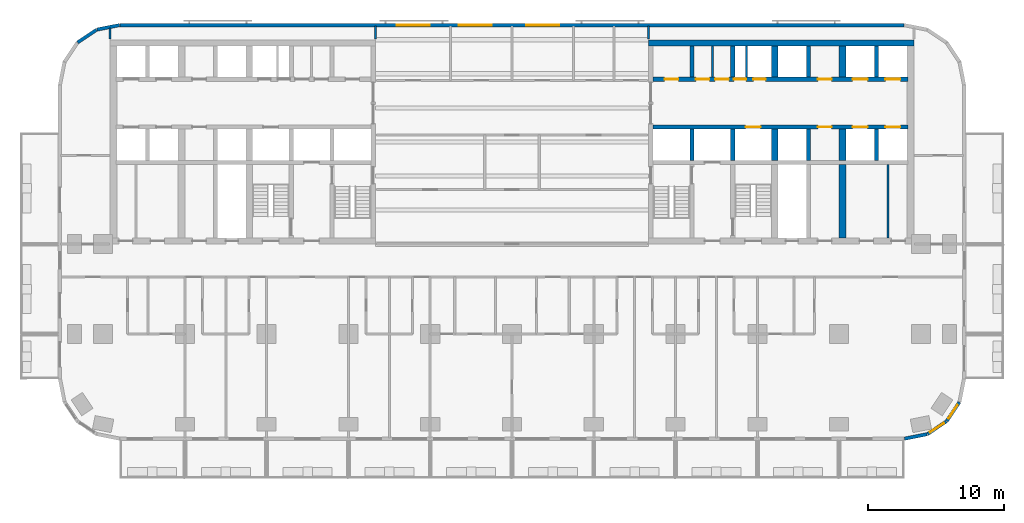
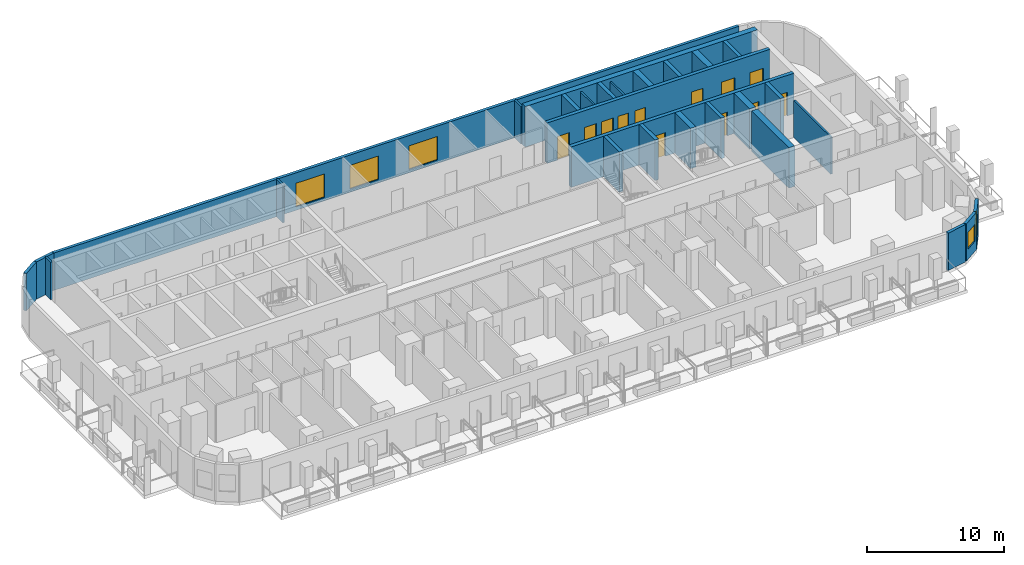
# One storey, part 7 of 13: 28 walls, 12 doors, 5 windows, 17 openings.
"""IFC4 building model written with IfcOpenShell, lengths in metres."""

from ifc_helpers import new_model, si_unit, direction, frame, frame_2d, origin, place, context, subcontext, project, spatial, rectangle, extrude, material, layer, layer_set, type_object, element, fill, save


model = new_model("IFC4")

# Units and contexts
model_context = context("Model", 3, precision=1e-05, world=origin(), true_north=direction((0.0, 1.0)))
body_context = subcontext(model_context, "Body", "Model", "MODEL_VIEW")
ifc_project = project(units=[si_unit("LENGTHUNIT", "METRE"), si_unit("AREAUNIT", "SQUARE_METRE"), si_unit("VOLUMEUNIT", "CUBIC_METRE"), si_unit("PLANEANGLEUNIT", "RADIAN"), si_unit("MASSUNIT", "GRAM", prefix="KILO")], contexts=[model_context])

# Site, building, storey
site_placement = place(None, origin())
site = spatial("IfcSite", under=ifc_project, at=site_placement, CompositionType="ELEMENT")
building_placement = place(site_placement, origin())
building = spatial("IfcBuilding", under=site, at=building_placement, Name="Torana Hotel and Residences", CompositionType="ELEMENT")
storey_placement = place(building_placement, frame((0.0, 0.0, 81.60009765625)))
storey = spatial("IfcBuildingStorey", under=building, at=storey_placement, Name="L20", CompositionType="ELEMENT", Elevation=81.60009765625)

# Wall, openings, doors
ifc_material_1 = material(Name="Concrete C80/95", Category="concrete")
ifc_layer_1 = layer(ifc_material_1, 0.300048828125)
ifc_layer_set_1 = layer_set([ifc_layer_1], Name="CORE WALL 300 C80/95")
wall_type_1 = type_object("IfcWallType", Name="CORE WALL 300 C80/95", PredefinedType="SHEAR", material=ifc_layer_set_1)
wall_1_placement = place(storey_placement, frame((10.35009765625, -2.89990234375, 0.0), z_axis=(0.0, 0.0, 1.0), x_axis=(1.0, 0.0, 0.0)))
wall_1 = element("IfcWall", 1, at=wall_1_placement, inside=storey, type_object=wall_type_1, Name="Core wall E row-N", PredefinedType="SHEAR", context=body_context, shape_type="SweptSolid", body=[
    extrude(rectangle(XDim=18.699951171875, YDim=0.300048828125, at=frame_2d((9.35009765625, 0.0))), origin(), (0.0, 0.0, 1.0), 3.599853515625),
])
opening_1_placement = place(wall_1_placement, frame((14.64990234375, 0.0, 0.0)))
opening_1 = element("IfcOpeningElement", 2, at=opening_1_placement, cuts=wall_1, Name="Opening LD", PredefinedType="OPENING", context=body_context, shape_type="SweptSolid", body=[
    extrude(rectangle(XDim=1.10009765625, YDim=2.10009765625, at=frame_2d((0.550048828125, 1.050048828125))), frame((0.0, 0.159912109375, 0.0), z_axis=(0.0, -1.0, 0.0), x_axis=(1.0, 0.0, 0.0)), (0.0, 0.0, 1.0), 0.320068359375),
])
opening_2_placement = place(wall_1_placement, frame((17.050048828125, 0.0, 0.0)))
opening_2 = element("IfcOpeningElement", 3, at=opening_2_placement, cuts=wall_1, Name="Opening LD", PredefinedType="OPENING", context=body_context, shape_type="SweptSolid", body=[
    extrude(rectangle(XDim=1.10009765625, YDim=2.10009765625, at=frame_2d((0.550048828125, 1.050048828125))), frame((0.0, 0.159912109375, 0.0), z_axis=(0.0, -1.0, 0.0), x_axis=(1.0, 0.0, 0.0)), (0.0, 0.0, 1.0), 0.320068359375),
])
opening_3_placement = place(wall_1_placement, frame((5.9375, 0.0, 0.0)))
opening_3 = element("IfcOpeningElement", 4, at=opening_3_placement, cuts=wall_1, Name="Opening L20-28", PredefinedType="OPENING", context=body_context, shape_type="SweptSolid", body=[
    extrude(rectangle(XDim=0.89990234375, YDim=2.10009765625, at=frame_2d((0.449951171875, 1.050048828125))), frame((0.0, 0.159912109375, 0.0), z_axis=(0.0, -1.0, 0.0), x_axis=(1.0, 0.0, 0.0)), (0.0, 0.0, 1.0), 0.320068359375),
])
opening_4_placement = place(wall_1_placement, frame((7.362548828125, 0.0, 0.0)))
opening_4 = element("IfcOpeningElement", 5, at=opening_4_placement, cuts=wall_1, Name="Opening L20-29", PredefinedType="OPENING", context=body_context, shape_type="SweptSolid", body=[
    extrude(rectangle(XDim=0.89990234375, YDim=2.10009765625, at=frame_2d((0.449951171875, 1.050048828125))), frame((0.0, 0.159912109375, 0.0), z_axis=(0.0, -1.0, 0.0), x_axis=(1.0, 0.0, 0.0)), (0.0, 0.0, 1.0), 0.320068359375),
])
opening_5_placement = place(wall_1_placement, frame((0.85009765625, 0.0, 0.0)))
opening_5 = element("IfcOpeningElement", 6, at=opening_5_placement, cuts=wall_1, Name="Opening L20-30", PredefinedType="OPENING", context=body_context, shape_type="SweptSolid", body=[
    extrude(rectangle(XDim=1.0, YDim=2.10009765625, at=frame_2d((0.5, 1.050048828125))), frame((0.0, 0.159912109375, 0.0), z_axis=(0.0, -1.0, 0.0), x_axis=(1.0, 0.0, 0.0)), (0.0, 0.0, 1.0), 0.320068359375),
])
opening_6_placement = place(wall_1_placement, frame((3.137451171875, 0.0, 0.0)))
opening_6 = element("IfcOpeningElement", 7, at=opening_6_placement, cuts=wall_1, Name="Opening L20-31", PredefinedType="OPENING", context=body_context, shape_type="SweptSolid", body=[
    extrude(rectangle(XDim=1.0, YDim=2.10009765625, at=frame_2d((0.5, 1.050048828125))), frame((0.0, 0.159912109375, 0.0), z_axis=(0.0, -1.0, 0.0), x_axis=(1.0, 0.0, 0.0)), (0.0, 0.0, 1.0), 0.320068359375),
])
opening_7_placement = place(wall_1_placement, frame((4.5625, 0.0, 0.0)))
opening_7 = element("IfcOpeningElement", 8, at=opening_7_placement, cuts=wall_1, Name="Opening L20-32", PredefinedType="OPENING", context=body_context, shape_type="SweptSolid", body=[
    extrude(rectangle(XDim=1.0, YDim=2.10009765625, at=frame_2d((0.5, 1.050048828125))), frame((0.0, 0.159912109375, 0.0), z_axis=(0.0, -1.0, 0.0), x_axis=(1.0, 0.0, 0.0)), (0.0, 0.0, 1.0), 0.320068359375),
])
opening_8_placement = place(wall_1_placement, frame((12.10009765625, 0.0, 0.0)))
opening_8 = element("IfcOpeningElement", 9, at=opening_8_placement, cuts=wall_1, Name="Opening L20-33", PredefinedType="OPENING", context=body_context, shape_type="SweptSolid", body=[
    extrude(rectangle(XDim=1.0, YDim=2.10009765625, at=frame_2d((0.5, 1.050048828125))), frame((0.0, 0.159912109375, 0.0), z_axis=(0.0, -1.0, 0.0), x_axis=(1.0, 0.0, 0.0)), (0.0, 0.0, 1.0), 0.320068359375),
])
ifc_material_2 = material(Name="Steel S235", Category="steel")
door_type_1 = type_object("IfcDoorType", Name="CORE ROOM FIRE DOOR D14 1000x2100", OperationType="SINGLE_SWING_LEFT", PredefinedType="DOOR", material=ifc_material_2)
door_1_placement = place(opening_5_placement, origin())
door_1 = element("IfcDoor", 10, at=door_1_placement, inside=storey, type_object=door_type_1, Name="N0 door L20", OperationType="SINGLE_SWING_RIGHT", OverallHeight=2.10009765625, OverallWidth=1.0, PredefinedType="DOOR", context=body_context, shape_type="SweptSolid", body=[
    extrude(rectangle(XDim=1.0, YDim=2.10009765625, at=frame_2d((0.5, 1.050048828125))), frame((0.0, 0.02490234375, 0.0), z_axis=(0.0, -1.0, 0.0), x_axis=(1.0, 0.0, 0.0)), (0.0, 0.0, 1.0), 0.050048828125),
])
fill(opening_5, door_1)
door_2_placement = place(opening_6_placement, origin())
door_2 = element("IfcDoor", 11, at=door_2_placement, inside=storey, type_object=door_type_1, Name="N1A door L20", OperationType="SINGLE_SWING_RIGHT", OverallHeight=2.10009765625, OverallWidth=1.0, PredefinedType="DOOR", context=body_context, shape_type="SweptSolid", body=[
    extrude(rectangle(XDim=1.0, YDim=2.10009765625, at=frame_2d((0.5, 1.050048828125))), frame((0.0, 0.02490234375, 0.0), z_axis=(0.0, -1.0, 0.0), x_axis=(1.0, 0.0, 0.0)), (0.0, 0.0, 1.0), 0.050048828125),
])
fill(opening_6, door_2)
door_3_placement = place(opening_7_placement, origin())
door_3 = element("IfcDoor", 12, at=door_3_placement, inside=storey, type_object=door_type_1, Name="N1B door L20", OperationType="SINGLE_SWING_RIGHT", OverallHeight=2.10009765625, OverallWidth=1.0, PredefinedType="DOOR", context=body_context, shape_type="SweptSolid", body=[
    extrude(rectangle(XDim=1.0, YDim=2.10009765625, at=frame_2d((0.5, 1.050048828125))), frame((0.0, 0.02490234375, 0.0), z_axis=(0.0, -1.0, 0.0), x_axis=(1.0, 0.0, 0.0)), (0.0, 0.0, 1.0), 0.050048828125),
])
fill(opening_7, door_3)
door_4_placement = place(opening_8_placement, origin())
door_4 = element("IfcDoor", 13, at=door_4_placement, inside=storey, type_object=door_type_1, Name="Free-M3 door L20", OperationType="SINGLE_SWING_RIGHT", OverallHeight=2.10009765625, OverallWidth=1.0, PredefinedType="DOOR", context=body_context, shape_type="SweptSolid", body=[
    extrude(rectangle(XDim=1.0, YDim=2.10009765625, at=frame_2d((0.5, 1.050048828125))), frame((0.0, 0.02490234375, 0.0), z_axis=(0.0, -1.0, 0.0), x_axis=(1.0, 0.0, 0.0)), (0.0, 0.0, 1.0), 0.050048828125),
])
fill(opening_8, door_4)
ifc_material_3 = material(Name="Stainless steel 316", Category="steel")
door_type_2 = type_object("IfcDoorType", Name="LIFT LANDING DOOR LD 1100x2100", OperationType="DOUBLE_DOOR_SLIDING", PredefinedType="USERDEFINED", material=ifc_material_3)
door_5_placement = place(opening_1_placement, origin())
door_5 = element("IfcDoor", 14, at=door_5_placement, inside=storey, type_object=door_type_2, Name="Lift landing door L5 L20", ObjectType="LIFT LANDING DOOR", OperationType="DOUBLE_DOOR_SLIDING", OverallHeight=2.10009765625, OverallWidth=1.10009765625, PredefinedType="USERDEFINED", context=body_context, shape_type="SweptSolid", body=[
    extrude(rectangle(XDim=1.10009765625, YDim=2.10009765625, at=frame_2d((0.550048828125, 1.050048828125))), frame((0.0, 0.02490234375, 0.0), z_axis=(0.0, -1.0, 0.0), x_axis=(1.0, 0.0, 0.0)), (0.0, 0.0, 1.0), 0.050048828125),
])
fill(opening_1, door_5)
door_6_placement = place(opening_2_placement, origin())
door_6 = element("IfcDoor", 15, at=door_6_placement, inside=storey, type_object=door_type_2, Name="Lift landing door L6 L20", ObjectType="LIFT LANDING DOOR", OperationType="DOUBLE_DOOR_SLIDING", OverallHeight=2.10009765625, OverallWidth=1.10009765625, PredefinedType="USERDEFINED", context=body_context, shape_type="SweptSolid", body=[
    extrude(rectangle(XDim=1.10009765625, YDim=2.10009765625, at=frame_2d((0.550048828125, 1.050048828125))), frame((0.0, 0.02490234375, 0.0), z_axis=(0.0, -1.0, 0.0), x_axis=(1.0, 0.0, 0.0)), (0.0, 0.0, 1.0), 0.050048828125),
])
fill(opening_2, door_6)
ifc_material_4 = material(Name="Steel S235", Category="steel")
door_type_3 = type_object("IfcDoorType", Name="RISER ACCESS DOOR D5 900x2100", OperationType="SINGLE_SWING_LEFT", PredefinedType="DOOR", material=ifc_material_4)
door_7_placement = place(opening_3_placement, origin())
door_7 = element("IfcDoor", 16, at=door_7_placement, inside=storey, type_object=door_type_3, Name="N2A door L20", OperationType="SINGLE_SWING_RIGHT", OverallHeight=2.10009765625, OverallWidth=0.89990234375, PredefinedType="DOOR", context=body_context, shape_type="SweptSolid", body=[
    extrude(rectangle(XDim=0.89990234375, YDim=2.10009765625, at=frame_2d((0.449951171875, 1.050048828125))), frame((0.0, 0.02490234375, 0.0), z_axis=(0.0, -1.0, 0.0), x_axis=(1.0, 0.0, 0.0)), (0.0, 0.0, 1.0), 0.050048828125),
])
fill(opening_3, door_7)
door_8_placement = place(opening_4_placement, origin())
door_8 = element("IfcDoor", 17, at=door_8_placement, inside=storey, type_object=door_type_3, Name="N2B door L20", OperationType="SINGLE_SWING_RIGHT", OverallHeight=2.10009765625, OverallWidth=0.89990234375, PredefinedType="DOOR", context=body_context, shape_type="SweptSolid", body=[
    extrude(rectangle(XDim=0.89990234375, YDim=2.10009765625, at=frame_2d((0.449951171875, 1.050048828125))), frame((0.0, 0.02490234375, 0.0), z_axis=(0.0, -1.0, 0.0), x_axis=(1.0, 0.0, 0.0)), (0.0, 0.0, 1.0), 0.050048828125),
])
fill(opening_4, door_8)

wall_2_placement = place(storey_placement, frame((10.35009765625, -6.39990234375, 0.0), z_axis=(0.0, 0.0, 1.0), x_axis=(1.0, 0.0, 0.0)))
wall_2 = element("IfcWall", 18, at=wall_2_placement, inside=storey, type_object=wall_type_1, Name="Core wall E row-S", PredefinedType="SHEAR", context=body_context, shape_type="SweptSolid", body=[
    extrude(rectangle(XDim=18.699951171875, YDim=0.300048828125, at=frame_2d((9.35009765625, 0.0))), origin(), (0.0, 0.0, 1.0), 3.599853515625),
])
opening_9_placement = place(wall_2_placement, frame((14.64990234375, 0.0, 0.0)))
opening_9 = element("IfcOpeningElement", 19, at=opening_9_placement, cuts=wall_2, Name="Opening LD", PredefinedType="OPENING", context=body_context, shape_type="SweptSolid", body=[
    extrude(rectangle(XDim=1.10009765625, YDim=2.10009765625, at=frame_2d((0.550048828125, 1.050048828125))), frame((0.0, 0.159912109375, 0.0), z_axis=(0.0, -1.0, 0.0), x_axis=(1.0, 0.0, 0.0)), (0.0, 0.0, 1.0), 0.320068359375),
])
opening_10_placement = place(wall_2_placement, frame((17.050048828125, 0.0, 0.0)))
opening_10 = element("IfcOpeningElement", 20, at=opening_10_placement, cuts=wall_2, Name="Opening LD", PredefinedType="OPENING", context=body_context, shape_type="SweptSolid", body=[
    extrude(rectangle(XDim=1.10009765625, YDim=2.10009765625, at=frame_2d((0.550048828125, 1.050048828125))), frame((0.0, 0.159912109375, 0.0), z_axis=(0.0, -1.0, 0.0), x_axis=(1.0, 0.0, 0.0)), (0.0, 0.0, 1.0), 0.320068359375),
])
opening_11_placement = place(wall_2_placement, frame((6.800048828125, 0.0, 0.0)))
opening_11 = element("IfcOpeningElement", 21, at=opening_11_placement, cuts=wall_2, Name="Opening LD", PredefinedType="OPENING", context=body_context, shape_type="SweptSolid", body=[
    extrude(rectangle(XDim=1.10009765625, YDim=2.10009765625, at=frame_2d((0.550048828125, 1.050048828125))), frame((0.0, 0.159912109375, 0.0), z_axis=(0.0, -1.0, 0.0), x_axis=(1.0, 0.0, 0.0)), (0.0, 0.0, 1.0), 0.320068359375),
])
opening_12_placement = place(wall_2_placement, frame((12.10009765625, 0.0, 0.0)))
opening_12 = element("IfcOpeningElement", 22, at=opening_12_placement, cuts=wall_2, Name="Opening L20-34", PredefinedType="OPENING", context=body_context, shape_type="SweptSolid", body=[
    extrude(rectangle(XDim=1.0, YDim=2.10009765625, at=frame_2d((0.5, 1.050048828125))), frame((0.0, 0.159912109375, 0.0), z_axis=(0.0, -1.0, 0.0), x_axis=(1.0, 0.0, 0.0)), (0.0, 0.0, 1.0), 0.320068359375),
])
door_9_placement = place(opening_12_placement, frame((0.5, 0.0, 0.0), z_axis=(0.0, 0.0, 1.0), x_axis=(-1.0, 0.0, 0.0)))
door_9 = element("IfcDoor", 23, at=door_9_placement, inside=storey, type_object=door_type_1, Name="Free-M4 door L20", OperationType="SINGLE_SWING_LEFT", OverallHeight=2.10009765625, OverallWidth=1.0, PredefinedType="DOOR", context=body_context, shape_type="SweptSolid", body=[
    extrude(rectangle(XDim=1.0, YDim=2.10009765625, at=frame_2d((0.0, 1.050048828125))), frame((0.0, -0.02490234375, 0.0), z_axis=(0.0, 1.0, 0.0), x_axis=(-1.0, 0.0, 0.0)), (0.0, 0.0, 1.0), 0.050048828125),
])
fill(opening_12, door_9)
door_10_placement = place(opening_9_placement, origin())
door_10 = element("IfcDoor", 24, at=door_10_placement, inside=storey, type_object=door_type_2, Name="Lift landing door L7 L20", ObjectType="LIFT LANDING DOOR", OperationType="DOUBLE_DOOR_SLIDING", OverallHeight=2.10009765625, OverallWidth=1.10009765625, PredefinedType="USERDEFINED", context=body_context, shape_type="SweptSolid", body=[
    extrude(rectangle(XDim=1.10009765625, YDim=2.10009765625, at=frame_2d((0.550048828125, 1.050048828125))), frame((0.0, 0.02490234375, 0.0), z_axis=(0.0, -1.0, 0.0), x_axis=(1.0, 0.0, 0.0)), (0.0, 0.0, 1.0), 0.050048828125),
])
fill(opening_9, door_10)
door_11_placement = place(opening_10_placement, origin())
door_11 = element("IfcDoor", 25, at=door_11_placement, inside=storey, type_object=door_type_2, Name="Lift landing door L8 L20", ObjectType="LIFT LANDING DOOR", OperationType="DOUBLE_DOOR_SLIDING", OverallHeight=2.10009765625, OverallWidth=1.10009765625, PredefinedType="USERDEFINED", context=body_context, shape_type="SweptSolid", body=[
    extrude(rectangle(XDim=1.10009765625, YDim=2.10009765625, at=frame_2d((0.550048828125, 1.050048828125))), frame((0.0, 0.02490234375, 0.0), z_axis=(0.0, -1.0, 0.0), x_axis=(1.0, 0.0, 0.0)), (0.0, 0.0, 1.0), 0.050048828125),
])
fill(opening_10, door_11)
door_12_placement = place(opening_11_placement, origin())
door_12 = element("IfcDoor", 26, at=door_12_placement, inside=storey, type_object=door_type_2, Name="Lift landing door SV2 L20", ObjectType="LIFT LANDING DOOR", OperationType="DOUBLE_DOOR_SLIDING", OverallHeight=2.10009765625, OverallWidth=1.10009765625, PredefinedType="USERDEFINED", context=body_context, shape_type="SweptSolid", body=[
    extrude(rectangle(XDim=1.10009765625, YDim=2.10009765625, at=frame_2d((0.550048828125, 1.050048828125))), frame((0.0, 0.02490234375, 0.0), z_axis=(0.0, -1.0, 0.0), x_axis=(1.0, 0.0, 0.0)), (0.0, 0.0, 1.0), 0.050048828125),
])
fill(opening_11, door_12)

# Walls
for number, where, z_axis, x_axis, name in (
    (27, (13.199951171875, -2.75, 0.0), (0.0, 0.0, 1.0), (0.0, 1.0, 0.0), "Core wall E x3.05-N"),
    (28, (13.199951171875, -8.85009765625, 0.0), (0.0, 0.0, 1.0), (0.0, 1.0, 0.0), "Core wall E x3.05-S"),
    (29, (16.199951171875, -2.75, 0.0), (0.0, 0.0, 1.0), (0.0, 1.0, 0.0), "Core wall E x6.05-N"),
    (30, (16.199951171875, -8.85009765625, 0.0), (0.0, 0.0, 1.0), (0.0, 1.0, 0.0), "Core wall E x6.05-S"),
    (31, (21.75, -2.75, 0.0), (0.0, 0.0, 1.0), (0.0, 1.0, 0.0), "Core wall E mm-N"),
    (32, (21.75, -8.85009765625, 0.0), (0.0, 0.0, 1.0), (0.0, 1.0, 0.0), "Core wall E mm-S"),
    (33, (26.75, -2.75, 0.0), (0.0, 0.0, 1.0), (0.0, 1.0, 0.0), "Core wall E ll-N"),
    (34, (26.75, -8.85009765625, 0.0), (0.0, 0.0, 1.0), (0.0, 1.0, 0.0), "Core wall E ll-S"),
):
    element("IfcWall", number, at=place(storey_placement, frame(where, z_axis=z_axis, x_axis=x_axis)), inside=storey, type_object=wall_type_1, Name=name, PredefinedType="SHEAR", context=body_context, shape_type="SweptSolid", body=[
        extrude(rectangle(XDim=2.300048828125, YDim=0.300048828125, at=frame_2d((1.14990234375, 0.0))), origin(), (0.0, 0.0, 1.0), 3.599853515625),
    ])
ifc_material_5 = material(Name="Concrete C80/95", Category="concrete")
ifc_layer_2 = layer(ifc_material_5, 0.449951171875)
ifc_layer_set_2 = layer_set([ifc_layer_2], Name="CORE WALL 450 C80/95")
wall_type_2 = type_object("IfcWallType", Name="CORE WALL 450 C80/95", PredefinedType="SHEAR", material=ifc_layer_set_2)
wall_3_placement = place(storey_placement, frame((10.0, -0.22509765625, 0.0), z_axis=(0.0, 0.0, 1.0), x_axis=(1.0, 0.0, 0.0)))
element("IfcWall", 35, at=wall_3_placement, inside=storey, type_object=wall_type_2, Name="Core wall E rear", PredefinedType="SHEAR", context=body_context, shape_type="SweptSolid", body=[
    extrude(rectangle(XDim=19.5, YDim=0.449951171875, at=frame_2d((9.75, 0.0))), origin(), (0.0, 0.0, 1.0), 3.599853515625),
])
for number, where, z_axis, x_axis, name in (
    (36, (19.27490234375, -2.75, 0.0), (0.0, 0.0, 1.0), (0.0, 1.0, 0.0), "Core wall E hm-N"),
    (37, (19.27490234375, -8.85009765625, 0.0), (0.0, 0.0, 1.0), (0.0, 1.0, 0.0), "Core wall E hm-S"),
):
    element("IfcWall", number, at=place(storey_placement, frame(where, z_axis=z_axis, x_axis=x_axis)), inside=storey, type_object=wall_type_2, Name=name, PredefinedType="SHEAR", context=body_context, shape_type="SweptSolid", body=[
        extrude(rectangle(XDim=2.300048828125, YDim=0.449951171875, at=frame_2d((1.14990234375, 0.0))), origin(), (0.0, 0.0, 1.0), 3.599853515625),
    ])
ifc_material_6 = material(Name="Concrete C80/95", Category="concrete")
ifc_layer_3 = layer(ifc_material_6, 0.5)
ifc_layer_set_3 = layer_set([ifc_layer_3], Name="CORE WALL 500 C80/95")
wall_type_3 = type_object("IfcWallType", Name="CORE WALL 500 C80/95", PredefinedType="SHEAR", material=ifc_layer_set_3)
for number, where, z_axis, x_axis, name in (
    (38, (24.25, -2.75, 0.0), (0.0, 0.0, 1.0), (0.0, 1.0, 0.0), "Core wall E ml-N"),
    (39, (24.25, -8.85009765625, 0.0), (0.0, 0.0, 1.0), (0.0, 1.0, 0.0), "Core wall E ml-S"),
):
    element("IfcWall", number, at=place(storey_placement, frame(where, z_axis=z_axis, x_axis=x_axis)), inside=storey, type_object=wall_type_3, Name=name, PredefinedType="SHEAR", context=body_context, shape_type="SweptSolid", body=[
        extrude(rectangle(XDim=2.300048828125, YDim=0.5, at=frame_2d((1.14990234375, 0.0))), origin(), (0.0, 0.0, 1.0), 3.599853515625),
    ])
wall_4_placement = place(storey_placement, frame((24.25, -14.550048828125, 0.0), z_axis=(0.0, 0.0, 1.0), x_axis=(0.0, 1.0, 0.0)))
element("IfcWall", 40, at=wall_4_placement, inside=storey, type_object=wall_type_3, Name="Core wall E ml-band", PredefinedType="SHEAR", context=body_context, shape_type="SweptSolid", body=[
    extrude(rectangle(XDim=5.400146484375, YDim=0.5, at=frame_2d((2.7001953125, 0.0))), origin(), (0.0, 0.0, 1.0), 3.599853515625),
])
ifc_material_7 = material(Name="Black aluminium composite panel", Category="aluminium")
ifc_layer_4 = layer(ifc_material_7, 0.00390625, Name="Cladding", Category="cladding")
ifc_material_8 = material(Name="Ventilated air cavity")
ifc_layer_5 = layer(ifc_material_8, 0.0400390625, Name="Ventilated cavity", Category="cavity")
ifc_material_9 = material(Name="Mineral wool insulation")
ifc_layer_6 = layer(ifc_material_9, 0.090087890625, Name="Insulation", Category="insulation")
ifc_material_10 = material(Name="Steel S280GD", Category="steel")
ifc_layer_7 = layer(ifc_material_10, 0.092041015625, Name="Steel stud frame", Category="structure")
ifc_material_11 = material(Name="Fire rated plasterboard")
ifc_layer_8 = layer(ifc_material_11, 0.011962890625, Name="Inner board", Category="finish")
ifc_layer_9 = layer(ifc_material_11, 0.011962890625, Name="Second board", Category="finish")
ifc_layer_set_4 = layer_set([ifc_layer_4, ifc_layer_5, ifc_layer_6, ifc_layer_7, ifc_layer_8, ifc_layer_9], Name="EW1 EXTERNAL WALL BLACK METAL CLAD 250")
wall_type_4 = type_object("IfcWallType", Name="EW1 EXTERNAL WALL BLACK METAL CLAD 250", PredefinedType="SOLIDWALL", material=ifc_layer_set_4)
wall_5_placement = place(storey_placement, frame((-28.7998046875, 1.072509765625, 0.0), z_axis=(0.0, 0.0, 1.0), x_axis=(-0.980803419081, -0.194999110559, 0.0)))
element("IfcWall", 41, at=wall_5_placement, inside=storey, type_object=wall_type_4, Name="External wall L20 e0.5", PredefinedType="SOLIDWALL", context=body_context, shape_type="SweptSolid", body=[
    extrude(rectangle(XDim=1.681396484375, YDim=0.25, at=frame_2d((0.8408203125, 0.0))), origin(), (0.0, 0.0, 1.0), 3.31982421875),
])
wall_6_placement = place(storey_placement, frame((-30.493896484375, 0.725830078125, 0.0), z_axis=(0.0, 0.0, 1.0), x_axis=(-0.831482937015, -0.55555029066, 0.0)))
element("IfcWall", 42, at=wall_6_placement, inside=storey, type_object=wall_type_4, Name="External wall L20 e0.6", PredefinedType="SOLIDWALL", context=body_context, shape_type="SweptSolid", body=[
    extrude(rectangle(XDim=1.65625, YDim=0.25, at=frame_2d((0.828125, 0.0))), origin(), (0.0, 0.0, 1.0), 3.31982421875),
])
wall_7_placement = place(storey_placement, frame((28.7998046875, -29.272705078125, 0.0), z_axis=(0.0, 0.0, 1.0), x_axis=(0.980775640221, 0.19513878023, 0.0)))
element("IfcWall", 43, at=wall_7_placement, inside=storey, type_object=wall_type_4, Name="External wall L20 e0.15", PredefinedType="SOLIDWALL", context=body_context, shape_type="SweptSolid", body=[
    extrude(rectangle(XDim=1.681396484375, YDim=0.25, at=frame_2d((0.8408203125, 0.0))), origin(), (0.0, 0.0, 1.0), 3.31982421875),
])

# Wall, opening, window
wall_8_placement = place(storey_placement, frame((30.493896484375, -28.92578125, 0.0), z_axis=(0.0, 0.0, 1.0), x_axis=(0.831482937015, 0.55555029066, 0.0)))
wall_8 = element("IfcWall", 44, at=wall_8_placement, inside=storey, type_object=wall_type_4, Name="External wall L20 e0.16", PredefinedType="SOLIDWALL", context=body_context, shape_type="SweptSolid", body=[
    extrude(rectangle(XDim=1.65625, YDim=0.25, at=frame_2d((0.828125, 0.0))), origin(), (0.0, 0.0, 1.0), 3.31982421875),
])
opening_13_placement = place(wall_8_placement, frame((0.228271484375, 0.0, 0.89990234375)))
opening_13 = element("IfcOpeningElement", 45, at=opening_13_placement, cuts=wall_8, Name="Opening W5", PredefinedType="OPENING", context=body_context, shape_type="SweptSolid", body=[
    extrude(rectangle(XDim=1.199951171875, YDim=1.5, at=frame_2d((0.60009765625, 0.75))), frame((0.0, 0.135009765625, 0.0), z_axis=(0.0, -1.0, 0.0), x_axis=(1.0, 0.0, 0.0)), (0.0, 0.0, 1.0), 0.27001953125),
])
ifc_material_12 = material(Name="Dark glass in black aluminium frame", Category="aluminium")
window_type_1 = type_object("IfcWindowType", Name="W5 CORNER FACET WINDOW 1200x1500", PartitioningType="SINGLE_PANEL", PredefinedType="WINDOW", material=ifc_material_12)
window_1_placement = place(opening_13_placement, origin())
window_1 = element("IfcWindow", 46, at=window_1_placement, inside=storey, type_object=window_type_1, Name="Window L20 e0.16", OverallHeight=1.5, OverallWidth=1.199951171875, PartitioningType="SINGLE_PANEL", PredefinedType="WINDOW", context=body_context, shape_type="SweptSolid", body=[
    extrude(rectangle(XDim=1.199951171875, YDim=1.5, at=frame_2d((0.60009765625, 0.75))), frame((0.0, 0.030029296875, 0.0), z_axis=(0.0, -1.0, 0.0), x_axis=(1.0, 0.0, 0.0)), (0.0, 0.0, 1.0), 0.06005859375),
])
fill(opening_13, window_1)

wall_9_placement = place(storey_placement, frame((31.90576171875, -27.97119140625, 0.0), z_axis=(0.0, 0.0, 1.0), x_axis=(0.55555029066, 0.831482937015, 0.0)))
wall_9 = element("IfcWall", 47, at=wall_9_placement, inside=storey, type_object=wall_type_4, Name="External wall L20 e0.17", PredefinedType="SOLIDWALL", context=body_context, shape_type="SweptSolid", body=[
    extrude(rectangle(XDim=1.65625, YDim=0.25, at=frame_2d((0.828125, 0.0))), origin(), (0.0, 0.0, 1.0), 3.31982421875),
])
opening_14_placement = place(wall_9_placement, frame((0.228271484375, 0.0, 0.89990234375)))
opening_14 = element("IfcOpeningElement", 48, at=opening_14_placement, cuts=wall_9, Name="Opening W5", PredefinedType="OPENING", context=body_context, shape_type="SweptSolid", body=[
    extrude(rectangle(XDim=1.199951171875, YDim=1.5, at=frame_2d((0.60009765625, 0.75))), frame((0.0, 0.135009765625, 0.0), z_axis=(0.0, -1.0, 0.0), x_axis=(1.0, 0.0, 0.0)), (0.0, 0.0, 1.0), 0.27001953125),
])
window_2_placement = place(opening_14_placement, origin())
window_2 = element("IfcWindow", 49, at=window_2_placement, inside=storey, type_object=window_type_1, Name="Window L20 e0.17", OverallHeight=1.5, OverallWidth=1.199951171875, PartitioningType="SINGLE_PANEL", PredefinedType="WINDOW", context=body_context, shape_type="SweptSolid", body=[
    extrude(rectangle(XDim=1.199951171875, YDim=1.5, at=frame_2d((0.60009765625, 0.75))), frame((0.0, 0.030029296875, 0.0), z_axis=(0.0, -1.0, 0.0), x_axis=(1.0, 0.0, 0.0)), (0.0, 0.0, 1.0), 0.06005859375),
])
fill(opening_14, window_2)

# Wall, openings, windows
ifc_material_13 = material(Name="Concrete C40/50 precast", Category="concrete")
ifc_layer_10 = layer(ifc_material_13, 0.10009765625, Name="Perforated block", Category="cladding")
ifc_material_14 = material(Name="Air cavity")
ifc_layer_11 = layer(ifc_material_14, 0.030029296875, Name="Cavity", Category="cavity")
ifc_material_15 = material(Name="Concrete C40/50", Category="concrete")
ifc_layer_12 = layer(ifc_material_15, 0.10009765625, Name="Wall", Category="structure")
ifc_material_16 = material(Name="Plaster and paint")
ifc_layer_13 = layer(ifc_material_16, 0.02001953125, Name="Inner finish", Category="finish")
ifc_layer_set_5 = layer_set([ifc_layer_10, ifc_layer_11, ifc_layer_12, ifc_layer_13], Name="EW2 PERFORATED BLOCK SCREEN WALL 250")
wall_type_5 = type_object("IfcWallType", Name="EW2 PERFORATED BLOCK SCREEN WALL 250", PredefinedType="SOLIDWALL", material=ifc_layer_set_5)
wall_10_placement = place(storey_placement, frame((28.775390625, 1.074951171875, 0.0), z_axis=(0.0, 0.0, 1.0), x_axis=(-1.0, 0.0, 0.0)))
wall_10 = element("IfcWall", 50, at=wall_10_placement, inside=storey, type_object=wall_type_5, Name="External wall L20 e0.4", PredefinedType="SOLIDWALL", context=body_context, shape_type="SweptSolid", body=[
    extrude(rectangle(XDim=57.55078125, YDim=0.25, at=frame_2d((28.775390625, 0.0))), origin(), (0.0, 0.0, 1.0), 3.31982421875),
])
opening_15_placement = place(wall_10_placement, frame((25.325439453125, 0.0, 0.300048828125)))
opening_15 = element("IfcOpeningElement", 51, at=opening_15_placement, cuts=wall_10, Name="Opening W1", PredefinedType="OPENING", context=body_context, shape_type="SweptSolid", body=[
    extrude(rectangle(XDim=2.39990234375, YDim=2.10009765625, at=frame_2d((1.199951171875, 1.050048828125))), frame((0.0, 0.135009765625, 0.0), z_axis=(0.0, -1.0, 0.0), x_axis=(1.0, 0.0, 0.0)), (0.0, 0.0, 1.0), 0.27001953125),
])
opening_16_placement = place(wall_10_placement, frame((30.275390625, 0.0, 0.300048828125)))
opening_16 = element("IfcOpeningElement", 52, at=opening_16_placement, cuts=wall_10, Name="Opening W1", PredefinedType="OPENING", context=body_context, shape_type="SweptSolid", body=[
    extrude(rectangle(XDim=2.39990234375, YDim=2.10009765625, at=frame_2d((1.199951171875, 1.050048828125))), frame((0.0, 0.135009765625, 0.0), z_axis=(0.0, -1.0, 0.0), x_axis=(1.0, 0.0, 0.0)), (0.0, 0.0, 1.0), 0.27001953125),
])
opening_17_placement = place(wall_10_placement, frame((34.825439453125, 0.0, 0.300048828125)))
opening_17 = element("IfcOpeningElement", 53, at=opening_17_placement, cuts=wall_10, Name="Opening W1", PredefinedType="OPENING", context=body_context, shape_type="SweptSolid", body=[
    extrude(rectangle(XDim=2.39990234375, YDim=2.10009765625, at=frame_2d((1.199951171875, 1.050048828125))), frame((0.0, 0.135009765625, 0.0), z_axis=(0.0, -1.0, 0.0), x_axis=(1.0, 0.0, 0.0)), (0.0, 0.0, 1.0), 0.27001953125),
])
ifc_material_17 = material(Name="Dark glass in black aluminium frame", Category="aluminium")
window_type_2 = type_object("IfcWindowType", Name="W1 HOTEL ROOM WINDOW 2400x2100", PartitioningType="SINGLE_PANEL", PredefinedType="WINDOW", material=ifc_material_17)
window_3_placement = place(opening_15_placement, origin())
window_3 = element("IfcWindow", 54, at=window_3_placement, inside=storey, type_object=window_type_2, Name="Window L20", OverallHeight=2.10009765625, OverallWidth=2.39990234375, PartitioningType="SINGLE_PANEL", PredefinedType="WINDOW", context=body_context, shape_type="SweptSolid", body=[
    extrude(rectangle(XDim=2.39990234375, YDim=2.10009765625, at=frame_2d((1.199951171875, 1.050048828125))), frame((0.0, 0.030029296875, 0.0), z_axis=(0.0, -1.0, 0.0), x_axis=(1.0, 0.0, 0.0)), (0.0, 0.0, 1.0), 0.06005859375),
])
fill(opening_15, window_3)
window_4_placement = place(opening_16_placement, origin())
window_4 = element("IfcWindow", 55, at=window_4_placement, inside=storey, type_object=window_type_2, Name="Window L20", OverallHeight=2.10009765625, OverallWidth=2.39990234375, PartitioningType="SINGLE_PANEL", PredefinedType="WINDOW", context=body_context, shape_type="SweptSolid", body=[
    extrude(rectangle(XDim=2.39990234375, YDim=2.10009765625, at=frame_2d((1.199951171875, 1.050048828125))), frame((0.0, 0.030029296875, 0.0), z_axis=(0.0, -1.0, 0.0), x_axis=(1.0, 0.0, 0.0)), (0.0, 0.0, 1.0), 0.06005859375),
])
fill(opening_16, window_4)
window_5_placement = place(opening_17_placement, origin())
window_5 = element("IfcWindow", 56, at=window_5_placement, inside=storey, type_object=window_type_2, Name="Window L20", OverallHeight=2.10009765625, OverallWidth=2.39990234375, PartitioningType="SINGLE_PANEL", PredefinedType="WINDOW", context=body_context, shape_type="SweptSolid", body=[
    extrude(rectangle(XDim=2.39990234375, YDim=2.10009765625, at=frame_2d((1.199951171875, 1.050048828125))), frame((0.0, 0.030029296875, 0.0), z_axis=(0.0, -1.0, 0.0), x_axis=(1.0, 0.0, 0.0)), (0.0, 0.0, 1.0), 0.06005859375),
])
fill(opening_17, window_5)

# Walls
ifc_material_18 = material(Name="Gypsum plaster")
ifc_layer_14 = layer(ifc_material_18, 0.014892578125, Name="Plaster", Category="finish")
ifc_material_19 = material(Name="Concrete blockwork", Category="masonry")
ifc_layer_15 = layer(ifc_material_19, 0.1201171875, Name="Blockwork", Category="structure")
ifc_layer_16 = layer(ifc_material_18, 0.014892578125, Name="Plaster", Category="finish")
ifc_layer_set_6 = layer_set([ifc_layer_14, ifc_layer_15, ifc_layer_16], Name="FIRE PARTITION 150 BLOCKWORK")
wall_type_6 = type_object("IfcWallType", Name="FIRE PARTITION 150 BLOCKWORK", PredefinedType="PARTITIONING", material=ifc_layer_set_6)
for number, where, z_axis, x_axis, name in (
    (57, (17.199951171875, -2.75, 0.0), (0.0, 0.0, 1.0), (0.0, 1.0, 0.0), "Core partition L20"),
    (58, (14.699951171875, -2.75, 0.0), (0.0, 0.0, 1.0), (0.0, 1.0, 0.0), "Core partition L20"),
):
    element("IfcWall", number, at=place(storey_placement, frame(where, z_axis=z_axis, x_axis=x_axis)), inside=storey, type_object=wall_type_6, Name=name, PredefinedType="PARTITIONING", context=body_context, shape_type="SweptSolid", body=[
        extrude(rectangle(XDim=2.300048828125, YDim=0.14990234375, at=frame_2d((1.14990234375, 0.0))), origin(), (0.0, 0.0, 1.0), 3.2998046875),
    ])
wall_11_placement = place(storey_placement, frame((27.60009765625, -14.550048828125, 0.0), z_axis=(0.0, 0.0, 1.0), x_axis=(0.0, 1.0, 0.0)))
element("IfcWall", 59, at=wall_11_placement, inside=storey, type_object=wall_type_6, Name="Core partition L20", PredefinedType="PARTITIONING", context=body_context, shape_type="SweptSolid", body=[
    extrude(rectangle(XDim=5.400146484375, YDim=0.14990234375, at=frame_2d((2.7001953125, 0.0))), origin(), (0.0, 0.0, 1.0), 3.2998046875),
])
ifc_material_20 = material(Name="Gypsum plasterboard")
ifc_layer_17 = layer(ifc_material_20, 0.012451171875, Name="Plasterboard", Category="finish")
ifc_layer_18 = layer(ifc_material_20, 0.012451171875, Name="Plasterboard", Category="finish")
ifc_layer_19 = layer(ifc_material_10, 0.10009765625, Name="Steel studs with mineral wool", Category="insulation")
ifc_layer_20 = layer(ifc_material_20, 0.012451171875, Name="Plasterboard", Category="finish")
ifc_layer_21 = layer(ifc_material_20, 0.012451171875, Name="Plasterboard", Category="finish")
ifc_layer_set_7 = layer_set([ifc_layer_17, ifc_layer_18, ifc_layer_19, ifc_layer_20, ifc_layer_21], Name="PARTITION 150 PLASTERBOARD")
wall_type_7 = type_object("IfcWallType", Name="PARTITION 150 PLASTERBOARD", PredefinedType="PARTITIONING", material=ifc_layer_set_7)
wall_12_placement = place(storey_placement, frame((-10.0, 0.050048828125, 0.0), z_axis=(0.0, 0.0, 1.0), x_axis=(0.0, 1.0, 0.0)))
element("IfcWall", 60, at=wall_12_placement, inside=storey, type_object=wall_type_7, Name="Partition L20", PredefinedType="PARTITIONING", context=body_context, shape_type="SweptSolid", body=[
    extrude(rectangle(XDim=0.969970703125, YDim=0.14990234375, at=frame_2d((0.48486328125, 0.0))), origin(), (0.0, 0.0, 1.0), 3.31982421875),
])
wall_13_placement = place(storey_placement, frame((-29.5, 0.050048828125, 0.0), z_axis=(0.0, 0.0, 1.0), x_axis=(0.0, 1.0, 0.0)))
element("IfcWall", 61, at=wall_13_placement, inside=storey, type_object=wall_type_7, Name="Partition L20", PredefinedType="PARTITIONING", context=body_context, shape_type="SweptSolid", body=[
    extrude(rectangle(XDim=0.8271484375, YDim=0.14990234375, at=frame_2d((0.41357421875, 0.0))), origin(), (0.0, 0.0, 1.0), 3.31982421875),
])
ifc_material_21 = material(Name="Ceramic tile on adhesive")
ifc_layer_22 = layer(ifc_material_21, 0.010009765625, Name="Wall tile", Category="finish")
ifc_material_22 = material(Name="Cement render")
ifc_layer_23 = layer(ifc_material_22, 0.010009765625, Name="Render", Category="finish")
ifc_layer_24 = layer(ifc_material_19, 0.110107421875, Name="Blockwork", Category="structure")
ifc_layer_25 = layer(ifc_material_22, 0.010009765625, Name="Render", Category="finish")
ifc_layer_26 = layer(ifc_material_21, 0.010009765625, Name="Wall tile", Category="finish")
ifc_layer_set_8 = layer_set([ifc_layer_22, ifc_layer_23, ifc_layer_24, ifc_layer_25, ifc_layer_26], Name="WC PARTITION 150")
wall_type_8 = type_object("IfcWallType", Name="WC PARTITION 150", PredefinedType="PLUMBINGWALL", material=ifc_layer_set_8)
wall_14_placement = place(storey_placement, frame((10.0, 0.050048828125, 0.0), z_axis=(0.0, 0.0, 1.0), x_axis=(0.0, 1.0, 0.0)))
element("IfcWall", 62, at=wall_14_placement, inside=storey, type_object=wall_type_8, Name="Partition L20", PredefinedType="PLUMBINGWALL", context=body_context, shape_type="SweptSolid", body=[
    extrude(rectangle(XDim=0.969970703125, YDim=0.14990234375, at=frame_2d((0.48486328125, 0.0))), origin(), (0.0, 0.0, 1.0), 3.31982421875),
])

save(model, "model.ifc")
